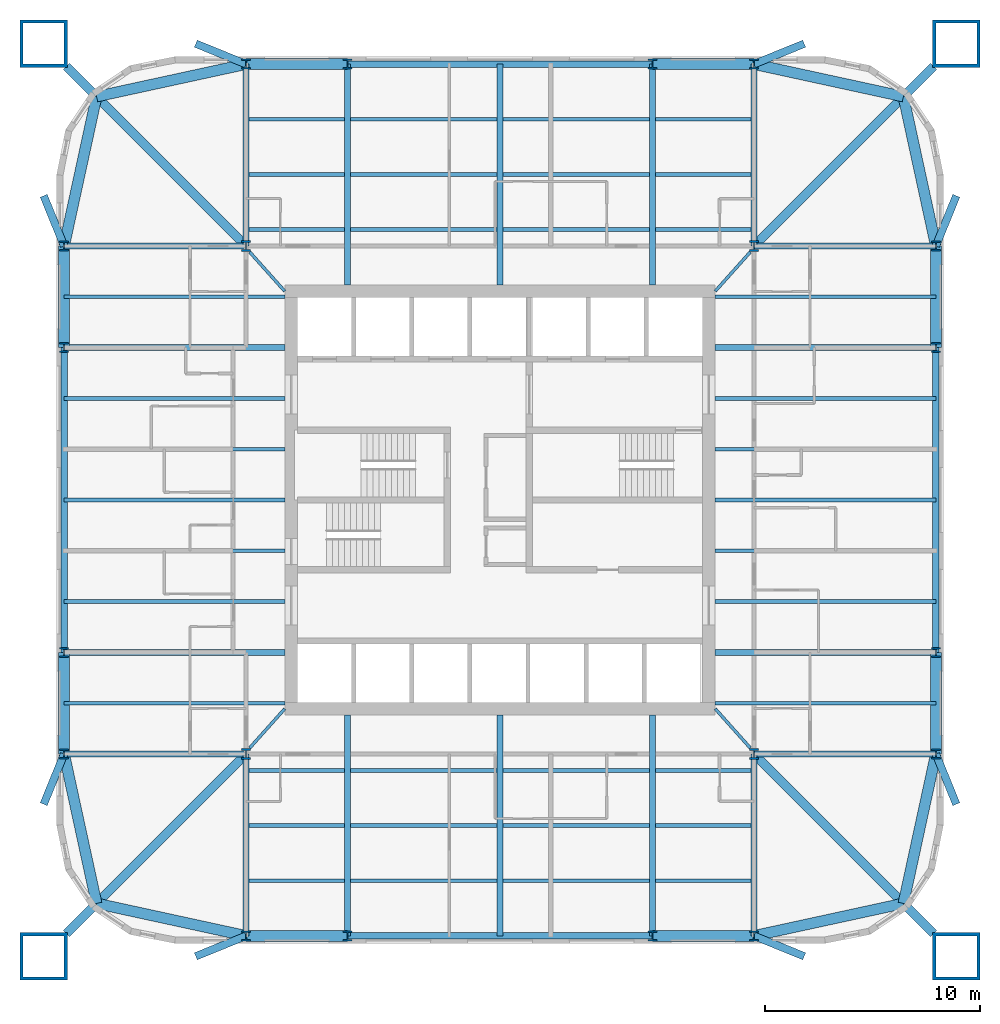
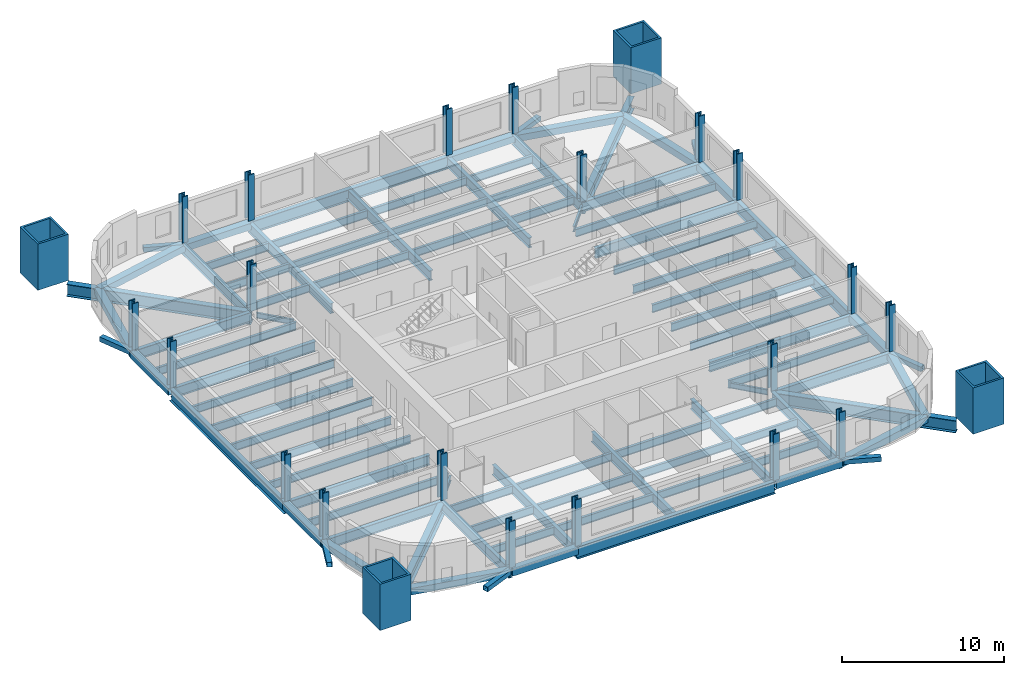
# One storey, part 1 of 9: 92 beams, 24 columns.
"""IFC4 building model written with IfcOpenShell, lengths in metres."""

from ifc_helpers import new_model, si_unit, direction, frame, origin, origin_2d, place, context, subcontext, project, spatial, hollow_rectangle, i_section, extrude, material, material_profile, profile_set, type_object, element, save


model = new_model("IFC4")

# Units and contexts
model_context = context("Model", 3, precision=1e-05, world=origin(), true_north=direction((0.0, 1.0)))
body_context = subcontext(model_context, "Body", "Model", "MODEL_VIEW")
ifc_project = project(units=[si_unit("LENGTHUNIT", "METRE"), si_unit("AREAUNIT", "SQUARE_METRE"), si_unit("VOLUMEUNIT", "CUBIC_METRE"), si_unit("PLANEANGLEUNIT", "RADIAN"), si_unit("MASSUNIT", "GRAM", prefix="KILO")], contexts=[model_context])

# Site, building, storey
site_placement = place(None, origin())
site = spatial("IfcSite", under=ifc_project, at=site_placement, CompositionType="ELEMENT")
building_placement = place(site_placement, origin())
building = spatial("IfcBuilding", under=site, at=building_placement, Name="Turquesa Mirador Hotel Tower", CompositionType="ELEMENT")
storey_placement = place(building_placement, frame((0.0, 0.0, 145.89990234375)))
storey = spatial("IfcBuildingStorey", under=building, at=storey_placement, Name="L39", CompositionType="ELEMENT", Elevation=145.89990234375)

# Columns
ifc_material_1 = material(Name="Steel ASTM A992 Grade 50", Category="steel")
ifc_material_profile_1 = material_profile(ifc_material_1, i_section(OverallWidth=0.421630859375, OverallDepth=0.46484375, WebThickness=0.044921875, FlangeThickness=0.072509765625, at=origin_2d()), Name="W14X398")
ifc_profile_set_1 = profile_set([ifc_material_profile_1], Name="Steel ASTM A992 Grade 50")
column_type_1 = type_object("IfcColumnType", Name="COLUMN W14X398", PredefinedType="COLUMN", material=ifc_profile_set_1)
for number, where, z_axis, x_axis, name in (
    (1, (34.75, 33.199951171875, 0.0), (0.0, 0.0, 1.0), (1.0, 0.0, 0.0), "COL-L39-P--20.25--11.80"),
    (2, (34.75, 37.919921875, 0.0), (0.0, 0.0, 1.0), (1.0, 0.0, 0.0), "COL-L39-P--20.25--7.08"),
    (3, (34.75, 52.080078125, 0.0), (0.0, 0.0, 1.0), (1.0, 0.0, 0.0), "COL-L39-P--20.25-+7.08"),
    (4, (34.75, 56.800048828125, 0.0), (0.0, 0.0, 1.0), (1.0, 0.0, 0.0), "COL-L39-P--20.25-+11.80"),
    (5, (43.199951171875, 24.75, 0.0), (0.0, 0.0, 1.0), (1.0, 0.0, 0.0), "COL-L39-P--11.80--20.25"),
    (6, (43.199951171875, 65.25, 0.0), (0.0, 0.0, 1.0), (1.0, 0.0, 0.0), "COL-L39-P--11.80-+20.25"),
    (7, (47.919921875, 24.75, 0.0), (0.0, 0.0, 1.0), (1.0, 0.0, 0.0), "COL-L39-P--7.08--20.25"),
    (8, (47.919921875, 65.25, 0.0), (0.0, 0.0, 1.0), (1.0, 0.0, 0.0), "COL-L39-P--7.08-+20.25"),
    (9, (62.080078125, 24.75, 0.0), (0.0, 0.0, 1.0), (1.0, 0.0, 0.0), "COL-L39-P-+7.08--20.25"),
    (10, (62.080078125, 65.25, 0.0), (0.0, 0.0, 1.0), (1.0, 0.0, 0.0), "COL-L39-P-+7.08-+20.25"),
    (11, (66.800048828125, 24.75, 0.0), (0.0, 0.0, 1.0), (1.0, 0.0, 0.0), "COL-L39-P-+11.80--20.25"),
    (12, (66.800048828125, 65.25, 0.0), (0.0, 0.0, 1.0), (1.0, 0.0, 0.0), "COL-L39-P-+11.80-+20.25"),
    (13, (75.25, 33.199951171875, 0.0), (0.0, 0.0, 1.0), (1.0, 0.0, 0.0), "COL-L39-P-+20.25--11.80"),
    (14, (75.25, 37.919921875, 0.0), (0.0, 0.0, 1.0), (1.0, 0.0, 0.0), "COL-L39-P-+20.25--7.08"),
    (15, (75.25, 52.080078125, 0.0), (0.0, 0.0, 1.0), (1.0, 0.0, 0.0), "COL-L39-P-+20.25-+7.08"),
    (16, (75.25, 56.800048828125, 0.0), (0.0, 0.0, 1.0), (1.0, 0.0, 0.0), "COL-L39-P-+20.25-+11.80"),
):
    element("IfcColumn", number, at=place(storey_placement, frame(where, z_axis=z_axis, x_axis=x_axis)), inside=storey, type_object=column_type_1, Name=name, PredefinedType="COLUMN", context=body_context, shape_type="SweptSolid", body=[
        extrude(i_section(OverallWidth=0.421630859375, OverallDepth=0.46484375, WebThickness=0.044921875, FlangeThickness=0.072509765625, at=origin_2d()), origin(), (0.0, 0.0, 1.0), 3.5),
    ])
ifc_material_2 = material(Name="Steel ASTM A992 Grade 50", Category="steel")
ifc_material_profile_2 = material_profile(ifc_material_2, i_section(OverallWidth=0.431884765625, OverallDepth=0.497802734375, WebThickness=0.0556640625, FlangeThickness=0.0888671875, at=origin_2d()), Name="W14X500")
ifc_profile_set_2 = profile_set([ifc_material_profile_2], Name="Steel ASTM A992 Grade 50")
column_type_2 = type_object("IfcColumnType", Name="COLUMN W14X500", PredefinedType="COLUMN", material=ifc_profile_set_2)
for number, where, z_axis, x_axis, name in (
    (17, (43.199951171875, 33.199951171875, 0.0), (0.0, 0.0, 1.0), (1.0, 0.0, 0.0), "COL-L39-K--11.80--11.80"),
    (18, (43.199951171875, 56.800048828125, 0.0), (0.0, 0.0, 1.0), (1.0, 0.0, 0.0), "COL-L39-K--11.80-+11.80"),
    (19, (66.800048828125, 33.199951171875, 0.0), (0.0, 0.0, 1.0), (1.0, 0.0, 0.0), "COL-L39-K-+11.80--11.80"),
    (20, (66.800048828125, 56.800048828125, 0.0), (0.0, 0.0, 1.0), (1.0, 0.0, 0.0), "COL-L39-K-+11.80-+11.80"),
):
    element("IfcColumn", number, at=place(storey_placement, frame(where, z_axis=z_axis, x_axis=x_axis)), inside=storey, type_object=column_type_2, Name=name, PredefinedType="COLUMN", context=body_context, shape_type="SweptSolid", body=[
        extrude(i_section(OverallWidth=0.431884765625, OverallDepth=0.497802734375, WebThickness=0.0556640625, FlangeThickness=0.0888671875, at=origin_2d()), origin(), (0.0, 0.0, 1.0), 3.5),
    ])
ifc_material_3 = material(Name="Steel ASTM A514 Grade Q", Category="steel")
ifc_material_profile_3 = material_profile(ifc_material_3, hollow_rectangle(XDim=2.199951171875, YDim=2.199951171875, WallThickness=0.14990234375, at=origin_2d()), Name="BOX2200X2200X150")
ifc_profile_set_3 = profile_set([ifc_material_profile_3], Name="Steel ASTM A514 Grade Q")
column_type_3 = type_object("IfcColumnType", Name="MEGA COLUMN BOX2200X2200X150", PredefinedType="COLUMN", material=ifc_profile_set_3)
for number, where, z_axis, x_axis, name in (
    (21, (76.199951171875, 66.199951171875, 0.0), (0.0, 0.0, 1.0), (1.0, 0.0, 0.0), "Mega column M1"),
    (22, (33.800048828125, 66.199951171875, 0.0), (0.0, 0.0, 1.0), (1.0, 0.0, 0.0), "Mega column M2"),
    (23, (33.800048828125, 23.800048828125, 0.0), (0.0, 0.0, 1.0), (1.0, 0.0, 0.0), "Mega column M3"),
    (24, (76.199951171875, 23.800048828125, 0.0), (0.0, 0.0, 1.0), (1.0, 0.0, 0.0), "Mega column M4"),
):
    element("IfcColumn", number, at=place(storey_placement, frame(where, z_axis=z_axis, x_axis=x_axis)), inside=storey, type_object=column_type_3, Name=name, PredefinedType="COLUMN", context=body_context, shape_type="SweptSolid", body=[
        extrude(hollow_rectangle(XDim=2.199951171875, YDim=2.199951171875, WallThickness=0.14990234375, at=origin_2d()), origin(), (0.0, 0.0, 1.0), 3.5),
    ])

# Beams
ifc_material_4 = material(Name="Steel ASTM A572 Grade 50", Category="steel")
ifc_material_profile_4 = material_profile(ifc_material_4, hollow_rectangle(XDim=0.5, YDim=0.5, WallThickness=0.01611328125, at=origin_2d()), Name="BOX500X500X16")
ifc_profile_set_4 = profile_set([ifc_material_profile_4], Name="Steel ASTM A572 Grade 50")
beam_type_1 = type_object("IfcBeamType", Name="BEAM BOX500X500X16", PredefinedType="BEAM", material=ifc_profile_set_4)
for number, where, z_axis, x_axis, name in (
    (25, (43.199951171875, 65.25, -0.419921875), (1.0, 0.0, 0.0), (0.0, 1.0, 0.0), "EB-L39-N-L"),
    (26, (62.080078125, 65.25, -0.419921875), (1.0, 0.0, 0.0), (0.0, 1.0, 0.0), "EB-L39-N-R"),
    (27, (43.199951171875, 24.75, -0.419921875), (1.0, 0.0, 0.0), (0.0, 1.0, 0.0), "EB-L39-S-L"),
    (28, (62.080078125, 24.75, -0.419921875), (1.0, 0.0, 0.0), (0.0, 1.0, 0.0), "EB-L39-S-R"),
    (29, (75.25, 33.199951171875, -0.419921875), (0.0, 1.0, 0.0), (-1.0, 0.0, 0.0), "EB-L39-E-L"),
    (30, (75.25, 52.080078125, -0.419921875), (0.0, 1.0, 0.0), (-1.0, 0.0, 0.0), "EB-L39-E-R"),
    (31, (34.75, 33.199951171875, -0.419921875), (0.0, 1.0, 0.0), (-1.0, 0.0, 0.0), "EB-L39-W-L"),
    (32, (34.75, 52.080078125, -0.419921875), (0.0, 1.0, 0.0), (-1.0, 0.0, 0.0), "EB-L39-W-R"),
):
    element("IfcBeam", number, at=place(storey_placement, frame(where, z_axis=z_axis, x_axis=x_axis)), inside=storey, type_object=beam_type_1, Name=name, PredefinedType="BEAM", context=body_context, shape_type="SweptSolid", body=[
        extrude(hollow_rectangle(XDim=0.5, YDim=0.5, WallThickness=0.01611328125, at=origin_2d()), origin(), (0.0, 0.0, 1.0), 4.719970703125),
    ])
for number, where, z_axis, x_axis, name in (
    (33, (75.25, 56.800048828125, -0.419921875), (-0.212328336885, 0.977198381781, 0.0), (-0.977198381781, -0.212328336885, 0.0), "KE-L39-1-0"),
    (34, (73.74169921875, 63.74169921875, -0.419921875), (-0.977198381781, 0.212328336885, 0.0), (-0.212328336885, -0.977198381781, 0.0), "KE-L39-1-1"),
    (35, (34.75, 56.800048828125, -0.419921875), (0.212328336885, 0.977198381781, 0.0), (-0.977198381781, 0.212328336885, 0.0), "KE-L39-2-0"),
    (36, (36.25830078125, 63.74169921875, -0.419921875), (0.977198381781, 0.212328336885, 0.0), (-0.212328336885, 0.977198381781, 0.0), "KE-L39-2-1"),
    (37, (34.75, 33.199951171875, -0.419921875), (0.212328336885, -0.977198381781, 0.0), (0.977198381781, 0.212328336885, 0.0), "KE-L39-3-0"),
    (38, (36.25830078125, 26.25830078125, -0.419921875), (0.977198381781, -0.212328336885, 0.0), (0.212328336885, 0.977198381781, 0.0), "KE-L39-3-1"),
    (39, (75.25, 33.199951171875, -0.419921875), (-0.212328336885, -0.977198381781, 0.0), (0.977198381781, -0.212328336885, 0.0), "KE-L39-4-0"),
    (40, (73.74169921875, 26.25830078125, -0.419921875), (-0.977198381781, -0.212328336885, 0.0), (0.212328336885, -0.977198381781, 0.0), "KE-L39-4-1"),
):
    element("IfcBeam", number, at=place(storey_placement, frame(where, z_axis=z_axis, x_axis=x_axis)), inside=storey, type_object=beam_type_1, Name=name, PredefinedType="BEAM", context=body_context, shape_type="SweptSolid", body=[
        extrude(hollow_rectangle(XDim=0.5, YDim=0.5, WallThickness=0.01611328125, at=origin_2d()), origin(), (0.0, 0.0, 1.0), 7.103515625),
    ])
ifc_material_5 = material(Name="Steel ASTM A992 Grade 50", Category="steel")
ifc_material_profile_5 = material_profile(ifc_material_5, i_section(OverallWidth=0.140380859375, OverallDepth=0.40380859375, WebThickness=0.007080078125, FlangeThickness=0.01123046875, at=origin_2d()), Name="W16X31")
ifc_profile_set_5 = profile_set([ifc_material_profile_5], Name="Steel ASTM A992 Grade 50")
beam_type_2 = type_object("IfcBeamType", Name="BEAM W16X31", PredefinedType="BEAM", material=ifc_profile_set_5)
for number, where, z_axis, x_axis, name in (
    (41, (66.626953125, 56.518310546875, -0.371826171875), (-0.66679485947, -0.745241313525, 0.0), (0.745241313525, -0.66679485947, 0.0), "KT-L39-1"),
    (42, (43.373046875, 56.518310546875, -0.371826171875), (0.66679485947, -0.745241313525, 0.0), (0.745241313525, 0.66679485947, 0.0), "KT-L39-2"),
    (43, (43.373046875, 33.481689453125, -0.371826171875), (0.66679485947, 0.745241313525, 0.0), (-0.745241313525, 0.66679485947, 0.0), "KT-L39-3"),
    (44, (66.626953125, 33.481689453125, -0.371826171875), (-0.66679485947, 0.745241313525, 0.0), (-0.745241313525, -0.66679485947, 0.0), "KT-L39-4"),
):
    element("IfcBeam", number, at=place(storey_placement, frame(where, z_axis=z_axis, x_axis=x_axis)), inside=storey, type_object=beam_type_2, Name=name, PredefinedType="BEAM", context=body_context, shape_type="SweptSolid", body=[
        extrude(i_section(OverallWidth=0.140380859375, OverallDepth=0.40380859375, WebThickness=0.007080078125, FlangeThickness=0.01123046875, at=origin_2d()), origin(), (0.0, 0.0, 1.0), 2.43994140625),
    ])
ifc_material_6 = material(Name="Steel ASTM A992 Grade 50", Category="steel")
ifc_material_profile_6 = material_profile(ifc_material_6, i_section(OverallWidth=0.177978515625, OverallDepth=0.599365234375, WebThickness=0.010009765625, FlangeThickness=0.012939453125, at=origin_2d()), Name="W24X55")
ifc_profile_set_6 = profile_set([ifc_material_profile_6], Name="Steel ASTM A992 Grade 50")
beam_type_3 = type_object("IfcBeamType", Name="BEAM W24X55", PredefinedType="BEAM", material=ifc_profile_set_6)
beam_1_placement = place(storey_placement, frame((43.333251953125, 57.56201171875, -0.4697265625), z_axis=(1.0, 0.0, 0.0), x_axis=(0.0, 1.0, 0.0)))
element("IfcBeam", 45, at=beam_1_placement, inside=storey, type_object=beam_type_3, Name="IB-L39-N-1-0", PredefinedType="BEAM", context=body_context, shape_type="SweptSolid", body=[
    extrude(i_section(OverallWidth=0.177978515625, OverallDepth=0.599365234375, WebThickness=0.010009765625, FlangeThickness=0.012939453125, at=origin_2d()), origin(), (0.0, 0.0, 1.0), 4.453369140625),
])
for number, where, z_axis, x_axis, name in (
    (46, (48.053466796875, 57.56201171875, -0.4697265625), (1.0, 0.0, 0.0), (0.0, 1.0, 0.0), "IB-L39-N-1-1"),
    (47, (55.13330078125, 57.56201171875, -0.4697265625), (1.0, 0.0, 0.0), (0.0, 1.0, 0.0), "IB-L39-N-1-2"),
):
    element("IfcBeam", number, at=place(storey_placement, frame(where, z_axis=z_axis, x_axis=x_axis)), inside=storey, type_object=beam_type_3, Name=name, PredefinedType="BEAM", context=body_context, shape_type="SweptSolid", body=[
        extrude(i_section(OverallWidth=0.177978515625, OverallDepth=0.599365234375, WebThickness=0.010009765625, FlangeThickness=0.012939453125, at=origin_2d()), origin(), (0.0, 0.0, 1.0), 6.813232421875),
    ])
for number, where, z_axis, x_axis, name in (
    (48, (62.21337890625, 57.56201171875, -0.4697265625), (1.0, 0.0, 0.0), (0.0, 1.0, 0.0), "IB-L39-N-1-3"),
    (49, (43.333251953125, 60.125, -0.4697265625), (1.0, 0.0, 0.0), (0.0, 1.0, 0.0), "IB-L39-N-2-0"),
):
    element("IfcBeam", number, at=place(storey_placement, frame(where, z_axis=z_axis, x_axis=x_axis)), inside=storey, type_object=beam_type_3, Name=name, PredefinedType="BEAM", context=body_context, shape_type="SweptSolid", body=[
        extrude(i_section(OverallWidth=0.177978515625, OverallDepth=0.599365234375, WebThickness=0.010009765625, FlangeThickness=0.012939453125, at=origin_2d()), origin(), (0.0, 0.0, 1.0), 4.453369140625),
    ])
for number, where, z_axis, x_axis, name in (
    (50, (48.053466796875, 60.125, -0.4697265625), (1.0, 0.0, 0.0), (0.0, 1.0, 0.0), "IB-L39-N-2-1"),
    (51, (55.13330078125, 60.125, -0.4697265625), (1.0, 0.0, 0.0), (0.0, 1.0, 0.0), "IB-L39-N-2-2"),
):
    element("IfcBeam", number, at=place(storey_placement, frame(where, z_axis=z_axis, x_axis=x_axis)), inside=storey, type_object=beam_type_3, Name=name, PredefinedType="BEAM", context=body_context, shape_type="SweptSolid", body=[
        extrude(i_section(OverallWidth=0.177978515625, OverallDepth=0.599365234375, WebThickness=0.010009765625, FlangeThickness=0.012939453125, at=origin_2d()), origin(), (0.0, 0.0, 1.0), 6.813232421875),
    ])
for number, where, z_axis, x_axis, name in (
    (52, (62.21337890625, 60.125, -0.4697265625), (1.0, 0.0, 0.0), (0.0, 1.0, 0.0), "IB-L39-N-2-3"),
    (53, (43.333251953125, 62.68798828125, -0.4697265625), (1.0, 0.0, 0.0), (0.0, 1.0, 0.0), "IB-L39-N-3-0"),
):
    element("IfcBeam", number, at=place(storey_placement, frame(where, z_axis=z_axis, x_axis=x_axis)), inside=storey, type_object=beam_type_3, Name=name, PredefinedType="BEAM", context=body_context, shape_type="SweptSolid", body=[
        extrude(i_section(OverallWidth=0.177978515625, OverallDepth=0.599365234375, WebThickness=0.010009765625, FlangeThickness=0.012939453125, at=origin_2d()), origin(), (0.0, 0.0, 1.0), 4.453369140625),
    ])
for number, where, z_axis, x_axis, name in (
    (54, (48.053466796875, 62.68798828125, -0.4697265625), (1.0, 0.0, 0.0), (0.0, 1.0, 0.0), "IB-L39-N-3-1"),
    (55, (55.13330078125, 62.68798828125, -0.4697265625), (1.0, 0.0, 0.0), (0.0, 1.0, 0.0), "IB-L39-N-3-2"),
):
    element("IfcBeam", number, at=place(storey_placement, frame(where, z_axis=z_axis, x_axis=x_axis)), inside=storey, type_object=beam_type_3, Name=name, PredefinedType="BEAM", context=body_context, shape_type="SweptSolid", body=[
        extrude(i_section(OverallWidth=0.177978515625, OverallDepth=0.599365234375, WebThickness=0.010009765625, FlangeThickness=0.012939453125, at=origin_2d()), origin(), (0.0, 0.0, 1.0), 6.813232421875),
    ])
for number, where, z_axis, x_axis, name in (
    (56, (62.21337890625, 62.68798828125, -0.4697265625), (1.0, 0.0, 0.0), (0.0, 1.0, 0.0), "IB-L39-N-3-3"),
    (57, (43.333251953125, 32.43798828125, -0.4697265625), (1.0, 0.0, 0.0), (0.0, 1.0, 0.0), "IB-L39-S-1-0"),
):
    element("IfcBeam", number, at=place(storey_placement, frame(where, z_axis=z_axis, x_axis=x_axis)), inside=storey, type_object=beam_type_3, Name=name, PredefinedType="BEAM", context=body_context, shape_type="SweptSolid", body=[
        extrude(i_section(OverallWidth=0.177978515625, OverallDepth=0.599365234375, WebThickness=0.010009765625, FlangeThickness=0.012939453125, at=origin_2d()), origin(), (0.0, 0.0, 1.0), 4.453369140625),
    ])
for number, where, z_axis, x_axis, name in (
    (58, (48.053466796875, 32.43798828125, -0.4697265625), (1.0, 0.0, 0.0), (0.0, 1.0, 0.0), "IB-L39-S-1-1"),
    (59, (55.13330078125, 32.43798828125, -0.4697265625), (1.0, 0.0, 0.0), (0.0, 1.0, 0.0), "IB-L39-S-1-2"),
):
    element("IfcBeam", number, at=place(storey_placement, frame(where, z_axis=z_axis, x_axis=x_axis)), inside=storey, type_object=beam_type_3, Name=name, PredefinedType="BEAM", context=body_context, shape_type="SweptSolid", body=[
        extrude(i_section(OverallWidth=0.177978515625, OverallDepth=0.599365234375, WebThickness=0.010009765625, FlangeThickness=0.012939453125, at=origin_2d()), origin(), (0.0, 0.0, 1.0), 6.813232421875),
    ])
for number, where, z_axis, x_axis, name in (
    (60, (62.21337890625, 32.43798828125, -0.4697265625), (1.0, 0.0, 0.0), (0.0, 1.0, 0.0), "IB-L39-S-1-3"),
    (61, (43.333251953125, 29.875, -0.4697265625), (1.0, 0.0, 0.0), (0.0, 1.0, 0.0), "IB-L39-S-2-0"),
):
    element("IfcBeam", number, at=place(storey_placement, frame(where, z_axis=z_axis, x_axis=x_axis)), inside=storey, type_object=beam_type_3, Name=name, PredefinedType="BEAM", context=body_context, shape_type="SweptSolid", body=[
        extrude(i_section(OverallWidth=0.177978515625, OverallDepth=0.599365234375, WebThickness=0.010009765625, FlangeThickness=0.012939453125, at=origin_2d()), origin(), (0.0, 0.0, 1.0), 4.453369140625),
    ])
for number, where, z_axis, x_axis, name in (
    (62, (48.053466796875, 29.875, -0.4697265625), (1.0, 0.0, 0.0), (0.0, 1.0, 0.0), "IB-L39-S-2-1"),
    (63, (55.13330078125, 29.875, -0.4697265625), (1.0, 0.0, 0.0), (0.0, 1.0, 0.0), "IB-L39-S-2-2"),
):
    element("IfcBeam", number, at=place(storey_placement, frame(where, z_axis=z_axis, x_axis=x_axis)), inside=storey, type_object=beam_type_3, Name=name, PredefinedType="BEAM", context=body_context, shape_type="SweptSolid", body=[
        extrude(i_section(OverallWidth=0.177978515625, OverallDepth=0.599365234375, WebThickness=0.010009765625, FlangeThickness=0.012939453125, at=origin_2d()), origin(), (0.0, 0.0, 1.0), 6.813232421875),
    ])
for number, where, z_axis, x_axis, name in (
    (64, (62.21337890625, 29.875, -0.4697265625), (1.0, 0.0, 0.0), (0.0, 1.0, 0.0), "IB-L39-S-2-3"),
    (65, (43.333251953125, 27.31201171875, -0.4697265625), (1.0, 0.0, 0.0), (0.0, 1.0, 0.0), "IB-L39-S-3-0"),
):
    element("IfcBeam", number, at=place(storey_placement, frame(where, z_axis=z_axis, x_axis=x_axis)), inside=storey, type_object=beam_type_3, Name=name, PredefinedType="BEAM", context=body_context, shape_type="SweptSolid", body=[
        extrude(i_section(OverallWidth=0.177978515625, OverallDepth=0.599365234375, WebThickness=0.010009765625, FlangeThickness=0.012939453125, at=origin_2d()), origin(), (0.0, 0.0, 1.0), 4.453369140625),
    ])
for number, where, z_axis, x_axis, name in (
    (66, (48.053466796875, 27.31201171875, -0.4697265625), (1.0, 0.0, 0.0), (0.0, 1.0, 0.0), "IB-L39-S-3-1"),
    (67, (55.13330078125, 27.31201171875, -0.4697265625), (1.0, 0.0, 0.0), (0.0, 1.0, 0.0), "IB-L39-S-3-2"),
):
    element("IfcBeam", number, at=place(storey_placement, frame(where, z_axis=z_axis, x_axis=x_axis)), inside=storey, type_object=beam_type_3, Name=name, PredefinedType="BEAM", context=body_context, shape_type="SweptSolid", body=[
        extrude(i_section(OverallWidth=0.177978515625, OverallDepth=0.599365234375, WebThickness=0.010009765625, FlangeThickness=0.012939453125, at=origin_2d()), origin(), (0.0, 0.0, 1.0), 6.813232421875),
    ])
beam_2_placement = place(storey_placement, frame((62.21337890625, 27.31201171875, -0.4697265625), z_axis=(1.0, 0.0, 0.0), x_axis=(0.0, 1.0, 0.0)))
element("IfcBeam", 68, at=beam_2_placement, inside=storey, type_object=beam_type_3, Name="IB-L39-S-3-3", PredefinedType="BEAM", context=body_context, shape_type="SweptSolid", body=[
    extrude(i_section(OverallWidth=0.177978515625, OverallDepth=0.599365234375, WebThickness=0.010009765625, FlangeThickness=0.012939453125, at=origin_2d()), origin(), (0.0, 0.0, 1.0), 4.453369140625),
])
for number, where, z_axis, x_axis, name in (
    (69, (75.25, 35.56005859375, -0.4697265625), (-1.0, 0.0, 0.0), (0.0, -1.0, 0.0), "BM-L39-E--9.44"),
    (70, (75.25, 40.280029296875, -0.4697265625), (-1.0, 0.0, 0.0), (0.0, -1.0, 0.0), "BM-L39-E--4.72"),
    (71, (75.25, 42.639892578125, -0.4697265625), (-1.0, 0.0, 0.0), (0.0, -1.0, 0.0), "BM-L39-E--2.36"),
    (72, (75.25, 45.0, -0.4697265625), (-1.0, 0.0, 0.0), (0.0, -1.0, 0.0), "BM-L39-E-+0.00"),
    (73, (75.25, 47.360107421875, -0.4697265625), (-1.0, 0.0, 0.0), (0.0, -1.0, 0.0), "BM-L39-E-+2.36"),
    (74, (75.25, 49.719970703125, -0.4697265625), (-1.0, 0.0, 0.0), (0.0, -1.0, 0.0), "BM-L39-E-+4.72"),
    (75, (75.25, 54.43994140625, -0.4697265625), (-1.0, 0.0, 0.0), (0.0, -1.0, 0.0), "BM-L39-E-+9.44"),
    (76, (34.75, 35.56005859375, -0.4697265625), (1.0, 0.0, 0.0), (0.0, 1.0, 0.0), "BM-L39-W--9.44"),
    (77, (34.75, 40.280029296875, -0.4697265625), (1.0, 0.0, 0.0), (0.0, 1.0, 0.0), "BM-L39-W--4.72"),
    (78, (34.75, 42.639892578125, -0.4697265625), (1.0, 0.0, 0.0), (0.0, 1.0, 0.0), "BM-L39-W--2.36"),
    (79, (34.75, 45.0, -0.4697265625), (1.0, 0.0, 0.0), (0.0, 1.0, 0.0), "BM-L39-W-+0.00"),
    (80, (34.75, 47.360107421875, -0.4697265625), (1.0, 0.0, 0.0), (0.0, 1.0, 0.0), "BM-L39-W-+2.36"),
    (81, (34.75, 49.719970703125, -0.4697265625), (1.0, 0.0, 0.0), (0.0, 1.0, 0.0), "BM-L39-W-+4.72"),
    (82, (34.75, 54.43994140625, -0.4697265625), (1.0, 0.0, 0.0), (0.0, 1.0, 0.0), "BM-L39-W-+9.44"),
):
    element("IfcBeam", number, at=place(storey_placement, frame(where, z_axis=z_axis, x_axis=x_axis)), inside=storey, type_object=beam_type_3, Name=name, PredefinedType="BEAM", context=body_context, shape_type="SweptSolid", body=[
        extrude(i_section(OverallWidth=0.177978515625, OverallDepth=0.599365234375, WebThickness=0.010009765625, FlangeThickness=0.012939453125, at=origin_2d()), origin(), (0.0, 0.0, 1.0), 10.25),
    ])
ifc_material_7 = material(Name="Steel ASTM A992 Grade 50", Category="steel")
ifc_material_profile_7 = material_profile(ifc_material_7, i_section(OverallWidth=0.2666015625, OverallDepth=0.7568359375, WebThickness=0.013916015625, FlangeThickness=0.019287109375, at=origin_2d()), Name="W30X108")
ifc_profile_set_7 = profile_set([ifc_material_profile_7], Name="Steel ASTM A992 Grade 50")
beam_type_4 = type_object("IfcBeamType", Name="BEAM W30X108", PredefinedType="BEAM", material=ifc_profile_set_7)
for number, where, z_axis, x_axis, name in (
    (83, (47.919921875, 65.25, -0.54833984375), (0.0, -1.0, 0.0), (1.0, 0.0, 0.0), "GD-L39-N--7.08"),
    (84, (62.080078125, 65.25, -0.54833984375), (0.0, -1.0, 0.0), (1.0, 0.0, 0.0), "GD-L39-N-+7.08"),
    (85, (55.0, 65.25, -0.54833984375), (0.0, -1.0, 0.0), (1.0, 0.0, 0.0), "GD-L39-N-+0.00"),
):
    element("IfcBeam", number, at=place(storey_placement, frame(where, z_axis=z_axis, x_axis=x_axis)), inside=storey, type_object=beam_type_4, Name=name, PredefinedType="BEAM", context=body_context, shape_type="SweptSolid", body=[
        extrude(i_section(OverallWidth=0.2666015625, OverallDepth=0.7568359375, WebThickness=0.013916015625, FlangeThickness=0.019287109375, at=origin_2d()), origin(), (0.0, 0.0, 1.0), 10.25),
    ])
for number, where, z_axis, x_axis, name in (
    (86, (43.199951171875, 65.25, -0.54833984375), (0.0, -1.0, 0.0), (1.0, 0.0, 0.0), "GK-L39-N--11.80"),
    (87, (66.800048828125, 65.25, -0.54833984375), (0.0, -1.0, 0.0), (1.0, 0.0, 0.0), "GK-L39-N-+11.80"),
):
    element("IfcBeam", number, at=place(storey_placement, frame(where, z_axis=z_axis, x_axis=x_axis)), inside=storey, type_object=beam_type_4, Name=name, PredefinedType="BEAM", context=body_context, shape_type="SweptSolid", body=[
        extrude(i_section(OverallWidth=0.2666015625, OverallDepth=0.7568359375, WebThickness=0.013916015625, FlangeThickness=0.019287109375, at=origin_2d()), origin(), (0.0, 0.0, 1.0), 8.449951171875),
    ])
for number, where, z_axis, x_axis, name in (
    (88, (47.919921875, 24.75, -0.54833984375), (0.0, 1.0, 0.0), (-1.0, 0.0, 0.0), "GD-L39-S--7.08"),
    (89, (62.080078125, 24.75, -0.54833984375), (0.0, 1.0, 0.0), (-1.0, 0.0, 0.0), "GD-L39-S-+7.08"),
    (90, (55.0, 24.75, -0.54833984375), (0.0, 1.0, 0.0), (-1.0, 0.0, 0.0), "GD-L39-S-+0.00"),
):
    element("IfcBeam", number, at=place(storey_placement, frame(where, z_axis=z_axis, x_axis=x_axis)), inside=storey, type_object=beam_type_4, Name=name, PredefinedType="BEAM", context=body_context, shape_type="SweptSolid", body=[
        extrude(i_section(OverallWidth=0.2666015625, OverallDepth=0.7568359375, WebThickness=0.013916015625, FlangeThickness=0.019287109375, at=origin_2d()), origin(), (0.0, 0.0, 1.0), 10.25),
    ])
for number, where, z_axis, x_axis, name in (
    (91, (43.199951171875, 24.75, -0.54833984375), (0.0, 1.0, 0.0), (-1.0, 0.0, 0.0), "GK-L39-S--11.80"),
    (92, (66.800048828125, 24.75, -0.54833984375), (0.0, 1.0, 0.0), (-1.0, 0.0, 0.0), "GK-L39-S-+11.80"),
):
    element("IfcBeam", number, at=place(storey_placement, frame(where, z_axis=z_axis, x_axis=x_axis)), inside=storey, type_object=beam_type_4, Name=name, PredefinedType="BEAM", context=body_context, shape_type="SweptSolid", body=[
        extrude(i_section(OverallWidth=0.2666015625, OverallDepth=0.7568359375, WebThickness=0.013916015625, FlangeThickness=0.019287109375, at=origin_2d()), origin(), (0.0, 0.0, 1.0), 8.449951171875),
    ])
for number, where, z_axis, x_axis, name in (
    (93, (75.25, 37.919921875, -0.54833984375), (-1.0, 0.0, 0.0), (0.0, -1.0, 0.0), "GD-L39-E--7.08"),
    (94, (75.25, 52.080078125, -0.54833984375), (-1.0, 0.0, 0.0), (0.0, -1.0, 0.0), "GD-L39-E-+7.08"),
):
    element("IfcBeam", number, at=place(storey_placement, frame(where, z_axis=z_axis, x_axis=x_axis)), inside=storey, type_object=beam_type_4, Name=name, PredefinedType="BEAM", context=body_context, shape_type="SweptSolid", body=[
        extrude(i_section(OverallWidth=0.2666015625, OverallDepth=0.7568359375, WebThickness=0.013916015625, FlangeThickness=0.019287109375, at=origin_2d()), origin(), (0.0, 0.0, 1.0), 10.25),
    ])
for number, where, z_axis, x_axis, name in (
    (95, (75.25, 33.199951171875, -0.54833984375), (-1.0, 0.0, 0.0), (0.0, -1.0, 0.0), "GK-L39-E--11.80"),
    (96, (75.25, 56.800048828125, -0.54833984375), (-1.0, 0.0, 0.0), (0.0, -1.0, 0.0), "GK-L39-E-+11.80"),
):
    element("IfcBeam", number, at=place(storey_placement, frame(where, z_axis=z_axis, x_axis=x_axis)), inside=storey, type_object=beam_type_4, Name=name, PredefinedType="BEAM", context=body_context, shape_type="SweptSolid", body=[
        extrude(i_section(OverallWidth=0.2666015625, OverallDepth=0.7568359375, WebThickness=0.013916015625, FlangeThickness=0.019287109375, at=origin_2d()), origin(), (0.0, 0.0, 1.0), 8.449951171875),
    ])
for number, where, z_axis, x_axis, name in (
    (97, (34.75, 37.919921875, -0.54833984375), (1.0, 0.0, 0.0), (0.0, 1.0, 0.0), "GD-L39-W--7.08"),
    (98, (34.75, 52.080078125, -0.54833984375), (1.0, 0.0, 0.0), (0.0, 1.0, 0.0), "GD-L39-W-+7.08"),
):
    element("IfcBeam", number, at=place(storey_placement, frame(where, z_axis=z_axis, x_axis=x_axis)), inside=storey, type_object=beam_type_4, Name=name, PredefinedType="BEAM", context=body_context, shape_type="SweptSolid", body=[
        extrude(i_section(OverallWidth=0.2666015625, OverallDepth=0.7568359375, WebThickness=0.013916015625, FlangeThickness=0.019287109375, at=origin_2d()), origin(), (0.0, 0.0, 1.0), 10.25),
    ])
for number, where, z_axis, x_axis, name in (
    (99, (34.75, 33.199951171875, -0.54833984375), (1.0, 0.0, 0.0), (0.0, 1.0, 0.0), "GK-L39-W--11.80"),
    (100, (34.75, 56.800048828125, -0.54833984375), (1.0, 0.0, 0.0), (0.0, 1.0, 0.0), "GK-L39-W-+11.80"),
):
    element("IfcBeam", number, at=place(storey_placement, frame(where, z_axis=z_axis, x_axis=x_axis)), inside=storey, type_object=beam_type_4, Name=name, PredefinedType="BEAM", context=body_context, shape_type="SweptSolid", body=[
        extrude(i_section(OverallWidth=0.2666015625, OverallDepth=0.7568359375, WebThickness=0.013916015625, FlangeThickness=0.019287109375, at=origin_2d()), origin(), (0.0, 0.0, 1.0), 8.449951171875),
    ])
ifc_material_8 = material(Name="Steel ASTM A992 Grade 50", Category="steel")
ifc_material_profile_8 = material_profile(ifc_material_8, i_section(OverallWidth=0.3046875, OverallDepth=0.911865234375, WebThickness=0.015869140625, FlangeThickness=0.02392578125, at=origin_2d()), Name="W36X150")
ifc_profile_set_8 = profile_set([ifc_material_profile_8], Name="Steel ASTM A992 Grade 50")
beam_type_5 = type_object("IfcBeamType", Name="BEAM W36X150", PredefinedType="BEAM", material=ifc_profile_set_8)
for number, where, z_axis, x_axis, name in (
    (101, (47.919921875, 65.25, -0.625732421875), (1.0, 0.0, 0.0), (0.0, 1.0, 0.0), "EB-L39-N-C"),
    (102, (47.919921875, 24.75, -0.625732421875), (1.0, 0.0, 0.0), (0.0, 1.0, 0.0), "EB-L39-S-C"),
    (103, (75.25, 37.919921875, -0.625732421875), (0.0, 1.0, 0.0), (-1.0, 0.0, 0.0), "EB-L39-E-C"),
    (104, (34.75, 37.919921875, -0.625732421875), (0.0, 1.0, 0.0), (-1.0, 0.0, 0.0), "EB-L39-W-C"),
):
    element("IfcBeam", number, at=place(storey_placement, frame(where, z_axis=z_axis, x_axis=x_axis)), inside=storey, type_object=beam_type_5, Name=name, PredefinedType="BEAM", context=body_context, shape_type="SweptSolid", body=[
        extrude(i_section(OverallWidth=0.3046875, OverallDepth=0.911865234375, WebThickness=0.015869140625, FlangeThickness=0.02392578125, at=origin_2d()), origin(), (0.0, 0.0, 1.0), 14.16015625),
    ])
ifc_material_9 = material(Name="Steel ASTM A992 Grade 50", Category="steel")
ifc_material_profile_9 = material_profile(ifc_material_9, i_section(OverallWidth=0.419189453125, OverallDepth=0.927001953125, WebThickness=0.019287109375, FlangeThickness=0.031982421875, at=origin_2d()), Name="W36X231")
ifc_profile_set_9 = profile_set([ifc_material_profile_9], Name="Steel ASTM A992 Grade 50")
beam_type_6 = type_object("IfcBeamType", Name="BEAM W36X231", PredefinedType="BEAM", material=ifc_profile_set_9)
for number, where, z_axis, x_axis, name in (
    (105, (66.800048828125, 56.800048828125, -0.633544921875), (0.707106781187, 0.707106781187, 0.0), (-0.707106781187, 0.707106781187, 0.0), "KD-L39-1"),
    (106, (43.199951171875, 56.800048828125, -0.633544921875), (-0.707106781187, 0.707106781187, 0.0), (-0.707106781187, -0.707106781187, 0.0), "KD-L39-2"),
    (107, (43.199951171875, 33.199951171875, -0.633544921875), (-0.707106781187, -0.707106781187, 0.0), (0.707106781187, -0.707106781187, 0.0), "KD-L39-3"),
    (108, (66.800048828125, 33.199951171875, -0.633544921875), (0.707106781187, -0.707106781187, 0.0), (0.707106781187, 0.707106781187, 0.0), "KD-L39-4"),
):
    element("IfcBeam", number, at=place(storey_placement, frame(where, z_axis=z_axis, x_axis=x_axis)), inside=storey, type_object=beam_type_6, Name=name, PredefinedType="BEAM", context=body_context, shape_type="SweptSolid", body=[
        extrude(i_section(OverallWidth=0.419189453125, OverallDepth=0.927001953125, WebThickness=0.019287109375, FlangeThickness=0.031982421875, at=origin_2d()), origin(), (0.0, 0.0, 1.0), 11.80859375),
    ])
ifc_material_10 = material(Name="Steel ASTM A500 Grade C", Category="steel")
ifc_material_profile_10 = material_profile(ifc_material_10, hollow_rectangle(XDim=0.355712890625, YDim=0.355712890625, WallThickness=0.0146484375, at=origin_2d()), Name="HSS14X14X5/8")
ifc_profile_set_10 = profile_set([ifc_material_profile_10], Name="Steel ASTM A500 Grade C")
beam_type_7 = type_object("IfcBeamType", Name="BRACE STRUT HSS14X14X5/8", PredefinedType="BEAM", material=ifc_profile_set_10)
for number, where, z_axis, x_axis, name in (
    (109, (69.13330078125, 66.199951171875, -0.34765625), (-0.926180124825, -0.377081392246, 0.0), (0.377081392246, -0.926180124825, 0.0), "Brace strut"),
    (110, (40.86669921875, 66.199951171875, -0.34765625), (0.926180124825, -0.377081392246, 0.0), (0.377081392246, 0.926180124825, 0.0), "Brace strut"),
    (111, (69.13330078125, 23.800048828125, -0.34765625), (-0.926180124825, 0.377081392246, 0.0), (-0.377081392246, -0.926180124825, 0.0), "Brace strut"),
    (112, (40.86669921875, 23.800048828125, -0.34765625), (0.926180124825, 0.377081392246, 0.0), (-0.377081392246, 0.926180124825, 0.0), "Brace strut"),
    (113, (76.199951171875, 59.13330078125, -0.34765625), (-0.377081392246, -0.926180124825, 0.0), (0.926180124825, -0.377081392246, 0.0), "Brace strut"),
    (114, (76.199951171875, 30.86669921875, -0.34765625), (-0.377081392246, 0.926180124825, 0.0), (-0.926180124825, -0.377081392246, 0.0), "Brace strut"),
    (115, (33.800048828125, 59.13330078125, -0.34765625), (0.377081392246, -0.926180124825, 0.0), (0.926180124825, 0.377081392246, 0.0), "Brace strut"),
    (116, (33.800048828125, 30.86669921875, -0.34765625), (0.377081392246, 0.926180124825, 0.0), (-0.926180124825, 0.377081392246, 0.0), "Brace strut"),
):
    element("IfcBeam", number, at=place(storey_placement, frame(where, z_axis=z_axis, x_axis=x_axis)), inside=storey, type_object=beam_type_7, Name=name, PredefinedType="BEAM", context=body_context, shape_type="SweptSolid", body=[
        extrude(hollow_rectangle(XDim=0.355712890625, YDim=0.355712890625, WallThickness=0.0146484375, at=origin_2d()), origin(), (0.0, 0.0, 1.0), 2.519287109375),
    ])

save(model, "model.ifc")
